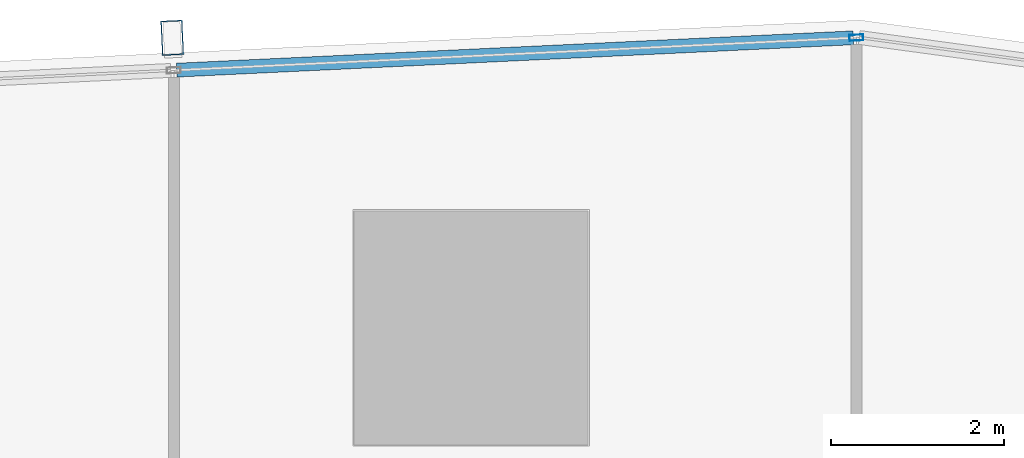
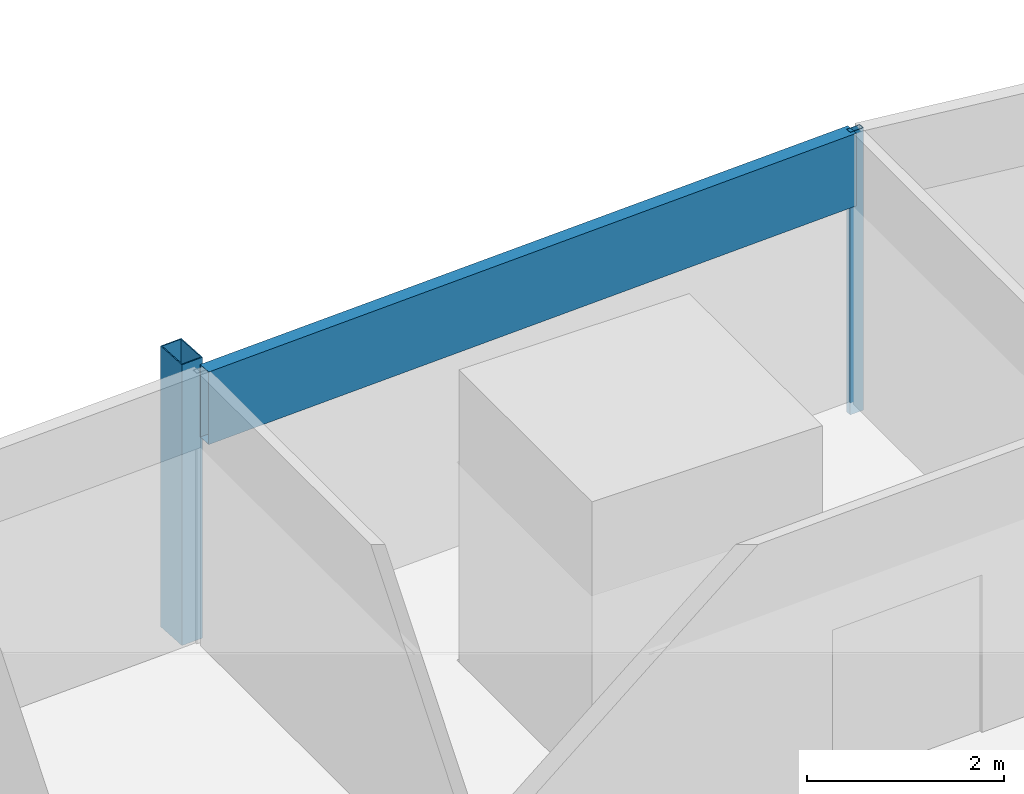
# One storey, part 22 of 36: 3 members, 1 element without a shape of its own.
"""IFC4 building model written with IfcOpenShell, lengths in metres."""

from ifc_helpers import new_model, si_unit, direction, frame, origin, origin_2d, place, context, subcontext, project, spatial, hollow_rectangle, extrude, material, material_profile, profile_set, type_object, element, aggregate, save


model = new_model("IFC4")

# Units and contexts
model_context = context("Model", 3, precision=1e-05, world=origin(), true_north=direction((0.0, 1.0)))
body_context = subcontext(model_context, "Body", "Model", "MODEL_VIEW")
ifc_project = project(units=[si_unit("LENGTHUNIT", "METRE"), si_unit("AREAUNIT", "SQUARE_METRE"), si_unit("VOLUMEUNIT", "CUBIC_METRE"), si_unit("PLANEANGLEUNIT", "RADIAN"), si_unit("MASSUNIT", "GRAM", prefix="KILO")], contexts=[model_context])

# Site, building, storey
site_placement = place(None, origin())
site = spatial("IfcSite", under=ifc_project, at=site_placement, CompositionType="ELEMENT")
building_placement = place(site_placement, origin())
building = spatial("IfcBuilding", under=site, at=building_placement, Name="Rekha Terrace Tower", CompositionType="ELEMENT")
storey_placement = place(building_placement, frame((0.0, 0.0, 172.699951171875)))
storey = spatial("IfcBuildingStorey", under=building, at=storey_placement, Name="L43", CompositionType="ELEMENT", Elevation=172.699951171875)

# Curtain wall, members
ifc_material_1 = material(Name="Aluminium framing", Category="aluminium")
curtain_wall_type = type_object("IfcCurtainWallType", Name="CW3 north unitised glazing", PredefinedType="USERDEFINED", material=ifc_material_1)
curtain_wall_placement = place(storey_placement, origin())
curtain_wall = element("IfcCurtainWall", 1, at=curtain_wall_placement, inside=storey, type_object=curtain_wall_type, Name="CW3 unitised curtain wall", ObjectType="UNITISED CURTAIN WALL", PredefinedType="USERDEFINED")
ifc_material_2 = material(Name="Steel S355 with fluorocarbon finish", Category="steel")
ifc_material_profile_1 = material_profile(ifc_material_2, hollow_rectangle(XDim=0.25, YDim=0.39990234375, WallThickness=0.012451171875, at=origin_2d()), Name="RHS400x250x12.5")
ifc_profile_set_1 = profile_set([ifc_material_profile_1], Name="Steel S355 with fluorocarbon finish")
member_type_1 = type_object("IfcMemberType", Name="BL1 facade blade RHS 400 x 250", PredefinedType="USERDEFINED", material=ifc_profile_set_1)
member_1_placement = place(storey_placement, frame((38.55224609375, 62.145751953125, 0.02001953125), z_axis=(0.0, 0.0, 1.0), x_axis=(-0.998858913274, -0.04775846913, 0.0)))
member_1 = element("IfcMember", 2, at=member_1_placement, type_object=member_type_1, Name="Facade blade", ObjectType="FACADE BLADE", PredefinedType="USERDEFINED", context=body_context, shape_type="SweptSolid", body=[
    extrude(hollow_rectangle(XDim=0.25, YDim=0.39990234375, WallThickness=0.012451171875, at=origin_2d()), origin(), (0.0, 0.0, 1.0), 3.47998046875),
])
ifc_material_3 = material(Name="Aluminium mullion section", Category="aluminium")
ifc_material_profile_2 = material_profile(ifc_material_3, hollow_rectangle(XDim=0.070068359375, YDim=0.159912109375, WallThickness=0.00390625, at=origin_2d()), Name="AL RHS 70x160")
ifc_profile_set_2 = profile_set([ifc_material_profile_2], Name="Aluminium mullion section")
member_type_2 = type_object("IfcMemberType", Name="CW3 mullion RHS 70 x 160", PredefinedType="MULLION", material=ifc_profile_set_2)
member_2_placement = place(storey_placement, frame((46.4443359375, 62.147705078125, 0.0), z_axis=(0.0, 0.0, 1.0), x_axis=(0.047758616983, -0.998858906204, 0.0)))
member_2 = element("IfcMember", 3, at=member_2_placement, type_object=member_type_2, Name="CW3 mullion 1", PredefinedType="MULLION", context=body_context, shape_type="SweptSolid", body=[
    extrude(hollow_rectangle(XDim=0.070068359375, YDim=0.159912109375, WallThickness=0.00390625, at=origin_2d()), origin(), (0.0, 0.0, 1.0), 3.5),
])
ifc_material_4 = material(Name="Insulated aluminium spandrel box", Category="aluminium")
ifc_material_profile_3 = material_profile(ifc_material_4, hollow_rectangle(XDim=0.159912109375, YDim=0.89990234375, WallThickness=0.0029296875, at=origin_2d()), Name="AL SPANDREL BOX 160x900")
ifc_profile_set_3 = profile_set([ifc_material_profile_3], Name="Insulated aluminium spandrel box")
member_type_3 = type_object("IfcMemberType", Name="CW3 spandrel transom 160 x 900", PredefinedType="USERDEFINED", material=ifc_profile_set_3)
member_3_placement = place(storey_placement, frame((46.4091796875, 62.14599609375, 3.050048828125), z_axis=(-0.998859425172, -0.047747761666, 0.0), x_axis=(0.047747761666, -0.998859425172, 0.0)))
member_3 = element("IfcMember", 4, at=member_3_placement, type_object=member_type_3, Name="CW3 spandrel transom 1", ObjectType="TRANSOM", PredefinedType="USERDEFINED", context=body_context, shape_type="SweptSolid", body=[
    extrude(hollow_rectangle(XDim=0.159912109375, YDim=0.89990234375, WallThickness=0.0029296875, at=origin_2d()), origin(), (0.0, 0.0, 1.0), 7.81298828125),
])
aggregate(curtain_wall, [member_2, member_3, member_1])

save(model, "model.ifc")
